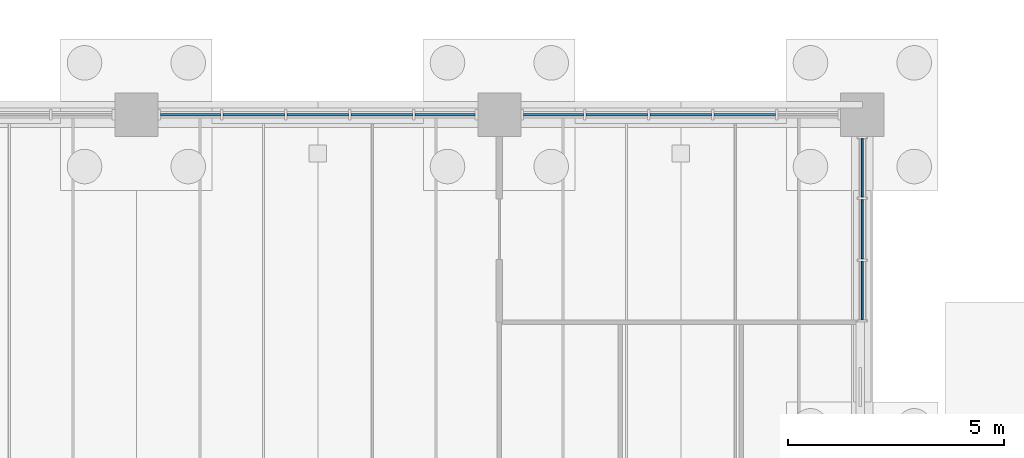
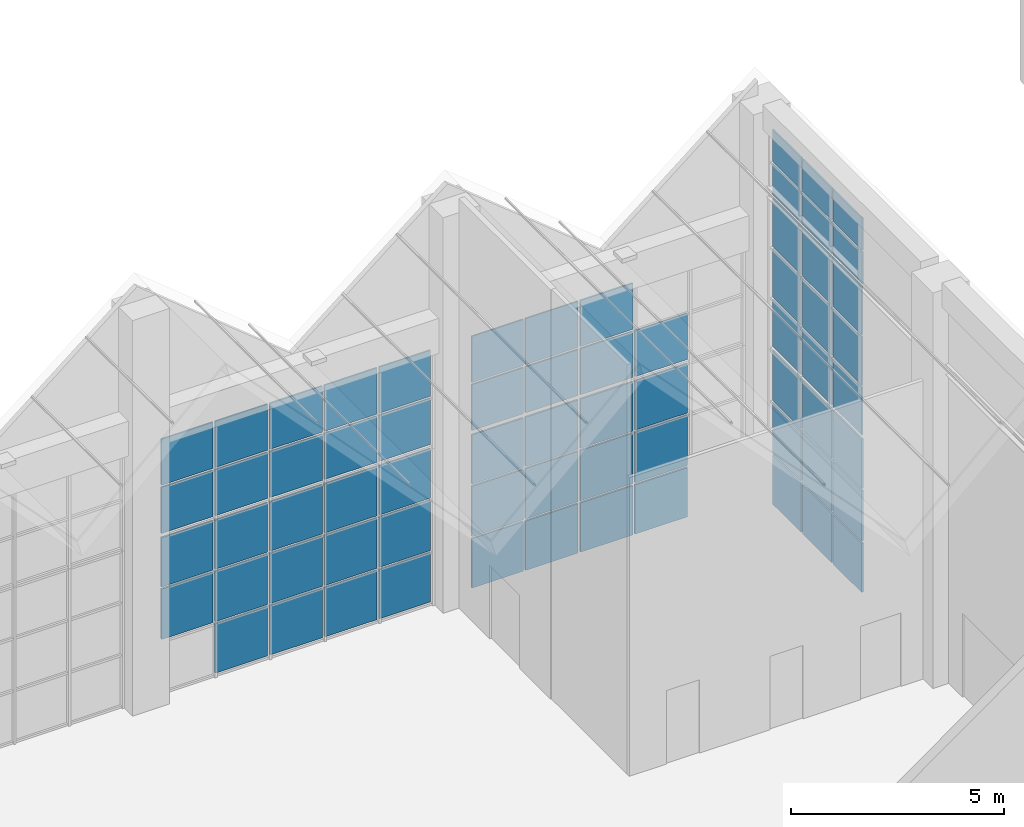
# One storey, part 87 of 138: 67 plates, 7 elements without a shape of their own.
"""IFC4 building model written with IfcOpenShell, lengths in metres."""

from ifc_helpers import new_model, si_unit, direction, frame, origin, origin_2d, place, context, subcontext, project, spatial, rectangle, extrude, material, layer, layer_set, type_object, element, aggregate, save


model = new_model("IFC4")

# Units and contexts
model_context = context("Model", 3, precision=1e-05, world=origin(), true_north=direction((0.0, 1.0)))
body_context = subcontext(model_context, "Body", "Model", "MODEL_VIEW")
ifc_project = project(units=[si_unit("LENGTHUNIT", "METRE"), si_unit("AREAUNIT", "SQUARE_METRE"), si_unit("VOLUMEUNIT", "CUBIC_METRE"), si_unit("PLANEANGLEUNIT", "RADIAN"), si_unit("MASSUNIT", "GRAM", prefix="KILO")], contexts=[model_context])

# Site, building, storey
site_placement = place(None, origin())
site = spatial("IfcSite", under=ifc_project, at=site_placement, CompositionType="ELEMENT")
building_placement = place(site_placement, origin())
building = spatial("IfcBuilding", under=site, at=building_placement, Name="Yavir Park General Hospital", CompositionType="ELEMENT")
storey_placement = place(building_placement, origin())
storey = spatial("IfcBuildingStorey", under=building, at=storey_placement, Name="L00", CompositionType="ELEMENT", Elevation=0.0)

# Curtain wall, plates
ifc_material_1 = material(Name="Aluminium curtain wall frame with insulated glazing", Category="aluminium")
curtain_wall_type_1 = type_object("IfcCurtainWallType", Name="Main hall glazing, clerestory band, 1970 high, 1400 module", PredefinedType="NOTDEFINED", material=ifc_material_1)
curtain_wall_1_placement = place(storey_placement, origin())
curtain_wall_1 = element("IfcCurtainWall", 1, at=curtain_wall_1_placement, inside=storey, type_object=curtain_wall_type_1, Name="CW35 L00-066", PredefinedType="NOTDEFINED")
ifc_material_2 = material(Name="Insulated glazed unit 30 mm, low-e coating")
ifc_layer_1 = layer(ifc_material_2, 0.0400390625)
ifc_layer_set_1 = layer_set([ifc_layer_1], Name="Insulated glazed unit 30 mm, low-e coating")
plate_type_1 = type_object("IfcPlateType", Name="Main hall glazing, clerestory band, 1970 high panel 40", PredefinedType="CURTAIN_PANEL", material=ifc_layer_set_1)
plate_1_placement = place(storey_placement, frame((109.199951171875, 63.129150390625, 8.89501953125), z_axis=(0.0, 0.0, 1.0), x_axis=(0.0, 1.0, 0.0)))
plate_1 = element("IfcPlate", 2, at=plate_1_placement, type_object=plate_type_1, Name="CW35 panel 1.1", PredefinedType="CURTAIN_PANEL", context=body_context, shape_type="SweptSolid", body=[
    extrude(rectangle(XDim=1.3583984375, YDim=0.0400390625, at=origin_2d()), origin(), (0.0, 0.0, 1.0), 0.909912109375),
])
plate_2_placement = place(storey_placement, frame((109.199951171875, 63.129150390625, 9.85498046875), z_axis=(0.0, 0.0, 1.0), x_axis=(0.0, 1.0, 0.0)))
plate_2 = element("IfcPlate", 3, at=plate_2_placement, type_object=plate_type_1, Name="CW35 panel 1.2", PredefinedType="CURTAIN_PANEL", context=body_context, shape_type="SweptSolid", body=[
    extrude(rectangle(XDim=1.3583984375, YDim=0.0400390625, at=origin_2d()), origin(), (0.0, 0.0, 1.0), 0.909912109375),
])
plate_3_placement = place(storey_placement, frame((109.199951171875, 64.550048828125, 8.89501953125), z_axis=(0.0, 0.0, 1.0), x_axis=(0.0, 1.0, 0.0)))
plate_3 = element("IfcPlate", 4, at=plate_3_placement, type_object=plate_type_1, Name="CW35 panel 2.1", PredefinedType="CURTAIN_PANEL", context=body_context, shape_type="SweptSolid", body=[
    extrude(rectangle(XDim=1.38330078125, YDim=0.0400390625, at=origin_2d()), origin(), (0.0, 0.0, 1.0), 0.909912109375),
])
plate_4_placement = place(storey_placement, frame((109.199951171875, 64.550048828125, 9.85498046875), z_axis=(0.0, 0.0, 1.0), x_axis=(0.0, 1.0, 0.0)))
plate_4 = element("IfcPlate", 5, at=plate_4_placement, type_object=plate_type_1, Name="CW35 panel 2.2", PredefinedType="CURTAIN_PANEL", context=body_context, shape_type="SweptSolid", body=[
    extrude(rectangle(XDim=1.38330078125, YDim=0.0400390625, at=origin_2d()), origin(), (0.0, 0.0, 1.0), 0.909912109375),
])
plate_5_placement = place(storey_placement, frame((109.199951171875, 65.970947265625, 8.89501953125), z_axis=(0.0, 0.0, 1.0), x_axis=(0.0, 1.0, 0.0)))
plate_5 = element("IfcPlate", 6, at=plate_5_placement, type_object=plate_type_1, Name="CW35 panel 3.1", PredefinedType="CURTAIN_PANEL", context=body_context, shape_type="SweptSolid", body=[
    extrude(rectangle(XDim=1.3583984375, YDim=0.0400390625, at=origin_2d()), origin(), (0.0, 0.0, 1.0), 0.909912109375),
])
plate_6_placement = place(storey_placement, frame((109.199951171875, 65.970947265625, 9.85498046875), z_axis=(0.0, 0.0, 1.0), x_axis=(0.0, 1.0, 0.0)))
plate_6 = element("IfcPlate", 7, at=plate_6_placement, type_object=plate_type_1, Name="CW35 panel 3.2", PredefinedType="CURTAIN_PANEL", context=body_context, shape_type="SweptSolid", body=[
    extrude(rectangle(XDim=1.3583984375, YDim=0.0400390625, at=origin_2d()), origin(), (0.0, 0.0, 1.0), 0.909912109375),
])
aggregate(curtain_wall_1, [plate_1, plate_2, plate_3, plate_4, plate_5, plate_6])

ifc_material_3 = material(Name="Aluminium curtain wall frame with insulated glazing", Category="aluminium")
curtain_wall_type_2 = type_object("IfcCurtainWallType", Name="Main hall glazing, lower band, 4500 high, 1400 module", PredefinedType="NOTDEFINED", material=ifc_material_3)
curtain_wall_2_placement = place(storey_placement, origin())
curtain_wall_2 = element("IfcCurtainWall", 8, at=curtain_wall_2_placement, inside=storey, type_object=curtain_wall_type_2, Name="CW33 L00-029", PredefinedType="NOTDEFINED")
ifc_material_4 = material(Name="Solar-control insulated glazed unit 40 mm")
ifc_layer_2 = layer(ifc_material_4, 0.050048828125)
ifc_layer_set_2 = layer_set([ifc_layer_2], Name="Solar-control insulated glazed unit 40 mm")
plate_type_2 = type_object("IfcPlateType", Name="Main hall glazing, lower band, 4500 high panel 50", PredefinedType="CURTAIN_PANEL", material=ifc_layer_set_2)
plate_7_placement = place(storey_placement, frame((93.655029296875, 67.199951171875, 1.530029296875), z_axis=(0.0, 0.0, 1.0), x_axis=(1.0, 0.0, 0.0)))
plate_7 = element("IfcPlate", 9, at=plate_7_placement, type_object=plate_type_2, Name="CW33 panel 1.2", PredefinedType="CURTAIN_PANEL", context=body_context, shape_type="SweptSolid", body=[
    extrude(rectangle(XDim=1.389892578125, YDim=0.050048828125, at=origin_2d()), origin(), (0.0, 0.0, 1.0), 1.43994140625),
])
plate_8_placement = place(storey_placement, frame((93.655029296875, 67.199951171875, 3.0302734375), z_axis=(0.0, 0.0, 1.0), x_axis=(1.0, 0.0, 0.0)))
plate_8 = element("IfcPlate", 10, at=plate_8_placement, type_object=plate_type_2, Name="CW33 panel 1.3", PredefinedType="CURTAIN_PANEL", context=body_context, shape_type="SweptSolid", body=[
    extrude(rectangle(XDim=1.389892578125, YDim=0.050048828125, at=origin_2d()), origin(), (0.0, 0.0, 1.0), 1.409912109375),
])
plate_9_placement = place(storey_placement, frame((95.1201171875, 67.199951171875, 0.06005859375), z_axis=(0.0, 0.0, 1.0), x_axis=(1.0, 0.0, 0.0)))
plate_9 = element("IfcPlate", 11, at=plate_9_placement, type_object=plate_type_2, Name="CW33 panel 2.1", PredefinedType="CURTAIN_PANEL", context=body_context, shape_type="SweptSolid", body=[
    extrude(rectangle(XDim=1.419921875, YDim=0.050048828125, at=origin_2d()), origin(), (0.0, 0.0, 1.0), 1.409912109375),
])
plate_10_placement = place(storey_placement, frame((95.1201171875, 67.199951171875, 1.530029296875), z_axis=(0.0, 0.0, 1.0), x_axis=(1.0, 0.0, 0.0)))
plate_10 = element("IfcPlate", 12, at=plate_10_placement, type_object=plate_type_2, Name="CW33 panel 2.2", PredefinedType="CURTAIN_PANEL", context=body_context, shape_type="SweptSolid", body=[
    extrude(rectangle(XDim=1.419921875, YDim=0.050048828125, at=origin_2d()), origin(), (0.0, 0.0, 1.0), 1.43994140625),
])
plate_11_placement = place(storey_placement, frame((95.1201171875, 67.199951171875, 3.0302734375), z_axis=(0.0, 0.0, 1.0), x_axis=(1.0, 0.0, 0.0)))
plate_11 = element("IfcPlate", 13, at=plate_11_placement, type_object=plate_type_2, Name="CW33 panel 2.3", PredefinedType="CURTAIN_PANEL", context=body_context, shape_type="SweptSolid", body=[
    extrude(rectangle(XDim=1.419921875, YDim=0.050048828125, at=origin_2d()), origin(), (0.0, 0.0, 1.0), 1.409912109375),
])
plate_12_placement = place(storey_placement, frame((96.60009765625, 67.199951171875, 0.06005859375), z_axis=(0.0, 0.0, 1.0), x_axis=(1.0, 0.0, 0.0)))
plate_12 = element("IfcPlate", 14, at=plate_12_placement, type_object=plate_type_2, Name="CW33 panel 3.1", PredefinedType="CURTAIN_PANEL", context=body_context, shape_type="SweptSolid", body=[
    extrude(rectangle(XDim=1.419921875, YDim=0.050048828125, at=origin_2d()), origin(), (0.0, 0.0, 1.0), 1.409912109375),
])
plate_13_placement = place(storey_placement, frame((96.60009765625, 67.199951171875, 1.530029296875), z_axis=(0.0, 0.0, 1.0), x_axis=(1.0, 0.0, 0.0)))
plate_13 = element("IfcPlate", 15, at=plate_13_placement, type_object=plate_type_2, Name="CW33 panel 3.2", PredefinedType="CURTAIN_PANEL", context=body_context, shape_type="SweptSolid", body=[
    extrude(rectangle(XDim=1.419921875, YDim=0.050048828125, at=origin_2d()), origin(), (0.0, 0.0, 1.0), 1.43994140625),
])
plate_14_placement = place(storey_placement, frame((96.60009765625, 67.199951171875, 3.0302734375), z_axis=(0.0, 0.0, 1.0), x_axis=(1.0, 0.0, 0.0)))
plate_14 = element("IfcPlate", 16, at=plate_14_placement, type_object=plate_type_2, Name="CW33 panel 3.3", PredefinedType="CURTAIN_PANEL", context=body_context, shape_type="SweptSolid", body=[
    extrude(rectangle(XDim=1.419921875, YDim=0.050048828125, at=origin_2d()), origin(), (0.0, 0.0, 1.0), 1.409912109375),
])
plate_15_placement = place(storey_placement, frame((98.080078125, 67.199951171875, 0.06005859375), z_axis=(0.0, 0.0, 1.0), x_axis=(1.0, 0.0, 0.0)))
plate_15 = element("IfcPlate", 17, at=plate_15_placement, type_object=plate_type_2, Name="CW33 panel 4.1", PredefinedType="CURTAIN_PANEL", context=body_context, shape_type="SweptSolid", body=[
    extrude(rectangle(XDim=1.419921875, YDim=0.050048828125, at=origin_2d()), origin(), (0.0, 0.0, 1.0), 1.409912109375),
])
plate_16_placement = place(storey_placement, frame((98.080078125, 67.199951171875, 1.530029296875), z_axis=(0.0, 0.0, 1.0), x_axis=(1.0, 0.0, 0.0)))
plate_16 = element("IfcPlate", 18, at=plate_16_placement, type_object=plate_type_2, Name="CW33 panel 4.2", PredefinedType="CURTAIN_PANEL", context=body_context, shape_type="SweptSolid", body=[
    extrude(rectangle(XDim=1.419921875, YDim=0.050048828125, at=origin_2d()), origin(), (0.0, 0.0, 1.0), 1.43994140625),
])
plate_17_placement = place(storey_placement, frame((98.080078125, 67.199951171875, 3.0302734375), z_axis=(0.0, 0.0, 1.0), x_axis=(1.0, 0.0, 0.0)))
plate_17 = element("IfcPlate", 19, at=plate_17_placement, type_object=plate_type_2, Name="CW33 panel 4.3", PredefinedType="CURTAIN_PANEL", context=body_context, shape_type="SweptSolid", body=[
    extrude(rectangle(XDim=1.419921875, YDim=0.050048828125, at=origin_2d()), origin(), (0.0, 0.0, 1.0), 1.409912109375),
])
plate_18_placement = place(storey_placement, frame((99.544921875, 67.199951171875, 0.06005859375), z_axis=(0.0, 0.0, 1.0), x_axis=(1.0, 0.0, 0.0)))
plate_18 = element("IfcPlate", 20, at=plate_18_placement, type_object=plate_type_2, Name="CW33 panel 5.1", PredefinedType="CURTAIN_PANEL", context=body_context, shape_type="SweptSolid", body=[
    extrude(rectangle(XDim=1.389892578125, YDim=0.050048828125, at=origin_2d()), origin(), (0.0, 0.0, 1.0), 1.409912109375),
])
plate_19_placement = place(storey_placement, frame((99.544921875, 67.199951171875, 1.530029296875), z_axis=(0.0, 0.0, 1.0), x_axis=(1.0, 0.0, 0.0)))
plate_19 = element("IfcPlate", 21, at=plate_19_placement, type_object=plate_type_2, Name="CW33 panel 5.2", PredefinedType="CURTAIN_PANEL", context=body_context, shape_type="SweptSolid", body=[
    extrude(rectangle(XDim=1.389892578125, YDim=0.050048828125, at=origin_2d()), origin(), (0.0, 0.0, 1.0), 1.43994140625),
])
plate_20_placement = place(storey_placement, frame((99.544921875, 67.199951171875, 3.0302734375), z_axis=(0.0, 0.0, 1.0), x_axis=(1.0, 0.0, 0.0)))
plate_20 = element("IfcPlate", 22, at=plate_20_placement, type_object=plate_type_2, Name="CW33 panel 5.3", PredefinedType="CURTAIN_PANEL", context=body_context, shape_type="SweptSolid", body=[
    extrude(rectangle(XDim=1.389892578125, YDim=0.050048828125, at=origin_2d()), origin(), (0.0, 0.0, 1.0), 1.409912109375),
])
aggregate(curtain_wall_2, [plate_7, plate_8, plate_9, plate_10, plate_11, plate_12, plate_13, plate_14, plate_15, plate_16, plate_17, plate_18, plate_19, plate_20])

curtain_wall_3_placement = place(storey_placement, origin())
curtain_wall_3 = element("IfcCurtainWall", 23, at=curtain_wall_3_placement, inside=storey, type_object=curtain_wall_type_2, Name="CW33 L00-031", PredefinedType="NOTDEFINED")
plate_21_placement = place(storey_placement, frame((102.054931640625, 67.199951171875, 0.06005859375), z_axis=(0.0, 0.0, 1.0), x_axis=(1.0, 0.0, 0.0)))
plate_21 = element("IfcPlate", 24, at=plate_21_placement, type_object=plate_type_2, Name="CW33 panel 1.1", PredefinedType="CURTAIN_PANEL", context=body_context, shape_type="SweptSolid", body=[
    extrude(rectangle(XDim=1.389892578125, YDim=0.050048828125, at=origin_2d()), origin(), (0.0, 0.0, 1.0), 1.409912109375),
])
plate_22_placement = place(storey_placement, frame((102.054931640625, 67.199951171875, 1.530029296875), z_axis=(0.0, 0.0, 1.0), x_axis=(1.0, 0.0, 0.0)))
plate_22 = element("IfcPlate", 25, at=plate_22_placement, type_object=plate_type_2, Name="CW33 panel 1.2", PredefinedType="CURTAIN_PANEL", context=body_context, shape_type="SweptSolid", body=[
    extrude(rectangle(XDim=1.389892578125, YDim=0.050048828125, at=origin_2d()), origin(), (0.0, 0.0, 1.0), 1.43994140625),
])
plate_23_placement = place(storey_placement, frame((102.054931640625, 67.199951171875, 3.0302734375), z_axis=(0.0, 0.0, 1.0), x_axis=(1.0, 0.0, 0.0)))
plate_23 = element("IfcPlate", 26, at=plate_23_placement, type_object=plate_type_2, Name="CW33 panel 1.3", PredefinedType="CURTAIN_PANEL", context=body_context, shape_type="SweptSolid", body=[
    extrude(rectangle(XDim=1.389892578125, YDim=0.050048828125, at=origin_2d()), origin(), (0.0, 0.0, 1.0), 1.409912109375),
])
plate_24_placement = place(storey_placement, frame((103.52001953125, 67.199951171875, 0.06005859375), z_axis=(0.0, 0.0, 1.0), x_axis=(1.0, 0.0, 0.0)))
plate_24 = element("IfcPlate", 27, at=plate_24_placement, type_object=plate_type_2, Name="CW33 panel 2.1", PredefinedType="CURTAIN_PANEL", context=body_context, shape_type="SweptSolid", body=[
    extrude(rectangle(XDim=1.419921875, YDim=0.050048828125, at=origin_2d()), origin(), (0.0, 0.0, 1.0), 1.409912109375),
])
plate_25_placement = place(storey_placement, frame((103.52001953125, 67.199951171875, 1.530029296875), z_axis=(0.0, 0.0, 1.0), x_axis=(1.0, 0.0, 0.0)))
plate_25 = element("IfcPlate", 28, at=plate_25_placement, type_object=plate_type_2, Name="CW33 panel 2.2", PredefinedType="CURTAIN_PANEL", context=body_context, shape_type="SweptSolid", body=[
    extrude(rectangle(XDim=1.419921875, YDim=0.050048828125, at=origin_2d()), origin(), (0.0, 0.0, 1.0), 1.43994140625),
])
plate_26_placement = place(storey_placement, frame((103.52001953125, 67.199951171875, 3.0302734375), z_axis=(0.0, 0.0, 1.0), x_axis=(1.0, 0.0, 0.0)))
plate_26 = element("IfcPlate", 29, at=plate_26_placement, type_object=plate_type_2, Name="CW33 panel 2.3", PredefinedType="CURTAIN_PANEL", context=body_context, shape_type="SweptSolid", body=[
    extrude(rectangle(XDim=1.419921875, YDim=0.050048828125, at=origin_2d()), origin(), (0.0, 0.0, 1.0), 1.409912109375),
])
plate_27_placement = place(storey_placement, frame((105.0, 67.199951171875, 0.06005859375), z_axis=(0.0, 0.0, 1.0), x_axis=(1.0, 0.0, 0.0)))
plate_27 = element("IfcPlate", 30, at=plate_27_placement, type_object=plate_type_2, Name="CW33 panel 3.1", PredefinedType="CURTAIN_PANEL", context=body_context, shape_type="SweptSolid", body=[
    extrude(rectangle(XDim=1.419921875, YDim=0.050048828125, at=origin_2d()), origin(), (0.0, 0.0, 1.0), 1.409912109375),
])
plate_28_placement = place(storey_placement, frame((105.0, 67.199951171875, 1.530029296875), z_axis=(0.0, 0.0, 1.0), x_axis=(1.0, 0.0, 0.0)))
plate_28 = element("IfcPlate", 31, at=plate_28_placement, type_object=plate_type_2, Name="CW33 panel 3.2", PredefinedType="CURTAIN_PANEL", context=body_context, shape_type="SweptSolid", body=[
    extrude(rectangle(XDim=1.419921875, YDim=0.050048828125, at=origin_2d()), origin(), (0.0, 0.0, 1.0), 1.43994140625),
])
plate_29_placement = place(storey_placement, frame((105.0, 67.199951171875, 3.0302734375), z_axis=(0.0, 0.0, 1.0), x_axis=(1.0, 0.0, 0.0)))
plate_29 = element("IfcPlate", 32, at=plate_29_placement, type_object=plate_type_2, Name="CW33 panel 3.3", PredefinedType="CURTAIN_PANEL", context=body_context, shape_type="SweptSolid", body=[
    extrude(rectangle(XDim=1.419921875, YDim=0.050048828125, at=origin_2d()), origin(), (0.0, 0.0, 1.0), 1.409912109375),
])
plate_30_placement = place(storey_placement, frame((106.47998046875, 67.199951171875, 0.06005859375), z_axis=(0.0, 0.0, 1.0), x_axis=(1.0, 0.0, 0.0)))
plate_30 = element("IfcPlate", 33, at=plate_30_placement, type_object=plate_type_2, Name="CW33 panel 4.1", PredefinedType="CURTAIN_PANEL", context=body_context, shape_type="SweptSolid", body=[
    extrude(rectangle(XDim=1.419921875, YDim=0.050048828125, at=origin_2d()), origin(), (0.0, 0.0, 1.0), 1.409912109375),
])
plate_31_placement = place(storey_placement, frame((106.47998046875, 67.199951171875, 1.530029296875), z_axis=(0.0, 0.0, 1.0), x_axis=(1.0, 0.0, 0.0)))
plate_31 = element("IfcPlate", 34, at=plate_31_placement, type_object=plate_type_2, Name="CW33 panel 4.2", PredefinedType="CURTAIN_PANEL", context=body_context, shape_type="SweptSolid", body=[
    extrude(rectangle(XDim=1.419921875, YDim=0.050048828125, at=origin_2d()), origin(), (0.0, 0.0, 1.0), 1.43994140625),
])
plate_32_placement = place(storey_placement, frame((106.47998046875, 67.199951171875, 3.0302734375), z_axis=(0.0, 0.0, 1.0), x_axis=(1.0, 0.0, 0.0)))
plate_32 = element("IfcPlate", 35, at=plate_32_placement, type_object=plate_type_2, Name="CW33 panel 4.3", PredefinedType="CURTAIN_PANEL", context=body_context, shape_type="SweptSolid", body=[
    extrude(rectangle(XDim=1.419921875, YDim=0.050048828125, at=origin_2d()), origin(), (0.0, 0.0, 1.0), 1.409912109375),
])
aggregate(curtain_wall_3, [plate_21, plate_22, plate_23, plate_24, plate_25, plate_26, plate_27, plate_28, plate_29, plate_30, plate_31, plate_32])

curtain_wall_4_placement = place(storey_placement, origin())
curtain_wall_4 = element("IfcCurtainWall", 36, at=curtain_wall_4_placement, inside=storey, type_object=curtain_wall_type_2, Name="CW33 L00-064", PredefinedType="NOTDEFINED")
plate_33_placement = place(storey_placement, frame((109.199951171875, 63.131591796875, 0.06005859375), z_axis=(0.0, 0.0, 1.0), x_axis=(0.0, 1.0, 0.0)))
plate_33 = element("IfcPlate", 37, at=plate_33_placement, type_object=plate_type_2, Name="CW33 panel 1.1", PredefinedType="CURTAIN_PANEL", context=body_context, shape_type="SweptSolid", body=[
    extrude(rectangle(XDim=1.34326171875, YDim=0.050048828125, at=origin_2d()), origin(), (0.0, 0.0, 1.0), 1.409912109375),
])
plate_34_placement = place(storey_placement, frame((109.199951171875, 63.131591796875, 1.530029296875), z_axis=(0.0, 0.0, 1.0), x_axis=(0.0, 1.0, 0.0)))
plate_34 = element("IfcPlate", 38, at=plate_34_placement, type_object=plate_type_2, Name="CW33 panel 1.2", PredefinedType="CURTAIN_PANEL", context=body_context, shape_type="SweptSolid", body=[
    extrude(rectangle(XDim=1.34326171875, YDim=0.050048828125, at=origin_2d()), origin(), (0.0, 0.0, 1.0), 1.43994140625),
])
plate_35_placement = place(storey_placement, frame((109.199951171875, 63.131591796875, 3.0302734375), z_axis=(0.0, 0.0, 1.0), x_axis=(0.0, 1.0, 0.0)))
plate_35 = element("IfcPlate", 39, at=plate_35_placement, type_object=plate_type_2, Name="CW33 panel 1.3", PredefinedType="CURTAIN_PANEL", context=body_context, shape_type="SweptSolid", body=[
    extrude(rectangle(XDim=1.34326171875, YDim=0.050048828125, at=origin_2d()), origin(), (0.0, 0.0, 1.0), 1.409912109375),
])
plate_36_placement = place(storey_placement, frame((109.199951171875, 64.550048828125, 0.06005859375), z_axis=(0.0, 0.0, 1.0), x_axis=(0.0, 1.0, 0.0)))
plate_36 = element("IfcPlate", 40, at=plate_36_placement, type_object=plate_type_2, Name="CW33 panel 2.1", PredefinedType="CURTAIN_PANEL", context=body_context, shape_type="SweptSolid", body=[
    extrude(rectangle(XDim=1.373291015625, YDim=0.050048828125, at=origin_2d()), origin(), (0.0, 0.0, 1.0), 1.409912109375),
])
plate_37_placement = place(storey_placement, frame((109.199951171875, 64.550048828125, 1.530029296875), z_axis=(0.0, 0.0, 1.0), x_axis=(0.0, 1.0, 0.0)))
plate_37 = element("IfcPlate", 41, at=plate_37_placement, type_object=plate_type_2, Name="CW33 panel 2.2", PredefinedType="CURTAIN_PANEL", context=body_context, shape_type="SweptSolid", body=[
    extrude(rectangle(XDim=1.373291015625, YDim=0.050048828125, at=origin_2d()), origin(), (0.0, 0.0, 1.0), 1.43994140625),
])
plate_38_placement = place(storey_placement, frame((109.199951171875, 64.550048828125, 3.0302734375), z_axis=(0.0, 0.0, 1.0), x_axis=(0.0, 1.0, 0.0)))
plate_38 = element("IfcPlate", 42, at=plate_38_placement, type_object=plate_type_2, Name="CW33 panel 2.3", PredefinedType="CURTAIN_PANEL", context=body_context, shape_type="SweptSolid", body=[
    extrude(rectangle(XDim=1.373291015625, YDim=0.050048828125, at=origin_2d()), origin(), (0.0, 0.0, 1.0), 1.409912109375),
])
plate_39_placement = place(storey_placement, frame((109.199951171875, 65.96826171875, 0.06005859375), z_axis=(0.0, 0.0, 1.0), x_axis=(0.0, 1.0, 0.0)))
plate_39 = element("IfcPlate", 43, at=plate_39_placement, type_object=plate_type_2, Name="CW33 panel 3.1", PredefinedType="CURTAIN_PANEL", context=body_context, shape_type="SweptSolid", body=[
    extrude(rectangle(XDim=1.34326171875, YDim=0.050048828125, at=origin_2d()), origin(), (0.0, 0.0, 1.0), 1.409912109375),
])
plate_40_placement = place(storey_placement, frame((109.199951171875, 65.96826171875, 1.530029296875), z_axis=(0.0, 0.0, 1.0), x_axis=(0.0, 1.0, 0.0)))
plate_40 = element("IfcPlate", 44, at=plate_40_placement, type_object=plate_type_2, Name="CW33 panel 3.2", PredefinedType="CURTAIN_PANEL", context=body_context, shape_type="SweptSolid", body=[
    extrude(rectangle(XDim=1.34326171875, YDim=0.050048828125, at=origin_2d()), origin(), (0.0, 0.0, 1.0), 1.43994140625),
])
plate_41_placement = place(storey_placement, frame((109.199951171875, 65.96826171875, 3.0302734375), z_axis=(0.0, 0.0, 1.0), x_axis=(0.0, 1.0, 0.0)))
plate_41 = element("IfcPlate", 45, at=plate_41_placement, type_object=plate_type_2, Name="CW33 panel 3.3", PredefinedType="CURTAIN_PANEL", context=body_context, shape_type="SweptSolid", body=[
    extrude(rectangle(XDim=1.34326171875, YDim=0.050048828125, at=origin_2d()), origin(), (0.0, 0.0, 1.0), 1.409912109375),
])
aggregate(curtain_wall_4, [plate_33, plate_34, plate_35, plate_36, plate_37, plate_38, plate_39, plate_40, plate_41])

ifc_material_5 = material(Name="Aluminium curtain wall frame with insulated glazing", Category="aluminium")
curtain_wall_type_3 = type_object("IfcCurtainWallType", Name="Main hall glazing, upper band, 2817 high, 1400 module", PredefinedType="NOTDEFINED", material=ifc_material_5)
curtain_wall_5_placement = place(storey_placement, origin())
curtain_wall_5 = element("IfcCurtainWall", 46, at=curtain_wall_5_placement, inside=storey, type_object=curtain_wall_type_3, Name="CW34 L00-030", PredefinedType="NOTDEFINED")
ifc_material_6 = material(Name="Solar-control insulated glazed unit 40 mm")
ifc_layer_3 = layer(ifc_material_6, 0.0400390625)
ifc_layer_set_3 = layer_set([ifc_layer_3], Name="Solar-control insulated glazed unit 40 mm")
plate_type_3 = type_object("IfcPlateType", Name="Main hall glazing, upper band, 2817 high panel 40", PredefinedType="CURTAIN_PANEL", material=ifc_layer_set_3)
plate_42_placement = place(storey_placement, frame((93.655029296875, 67.199951171875, 4.56005859375), z_axis=(0.0, 0.0, 1.0), x_axis=(1.0, 0.0, 0.0)))
plate_42 = element("IfcPlate", 47, at=plate_42_placement, type_object=plate_type_3, Name="CW34 panel 1.1", PredefinedType="CURTAIN_PANEL", context=body_context, shape_type="SweptSolid", body=[
    extrude(rectangle(XDim=1.389892578125, YDim=0.0400390625, at=origin_2d()), origin(), (0.0, 0.0, 1.0), 1.318603515625),
])
plate_43_placement = place(storey_placement, frame((93.655029296875, 67.199951171875, 5.9384765625), z_axis=(0.0, 0.0, 1.0), x_axis=(1.0, 0.0, 0.0)))
plate_43 = element("IfcPlate", 48, at=plate_43_placement, type_object=plate_type_3, Name="CW34 panel 1.2", PredefinedType="CURTAIN_PANEL", context=body_context, shape_type="SweptSolid", body=[
    extrude(rectangle(XDim=1.389892578125, YDim=0.0400390625, at=origin_2d()), origin(), (0.0, 0.0, 1.0), 1.318603515625),
])
plate_44_placement = place(storey_placement, frame((95.1201171875, 67.199951171875, 4.56005859375), z_axis=(0.0, 0.0, 1.0), x_axis=(1.0, 0.0, 0.0)))
plate_44 = element("IfcPlate", 49, at=plate_44_placement, type_object=plate_type_3, Name="CW34 panel 2.1", PredefinedType="CURTAIN_PANEL", context=body_context, shape_type="SweptSolid", body=[
    extrude(rectangle(XDim=1.419921875, YDim=0.0400390625, at=origin_2d()), origin(), (0.0, 0.0, 1.0), 1.318603515625),
])
plate_45_placement = place(storey_placement, frame((95.1201171875, 67.199951171875, 5.9384765625), z_axis=(0.0, 0.0, 1.0), x_axis=(1.0, 0.0, 0.0)))
plate_45 = element("IfcPlate", 50, at=plate_45_placement, type_object=plate_type_3, Name="CW34 panel 2.2", PredefinedType="CURTAIN_PANEL", context=body_context, shape_type="SweptSolid", body=[
    extrude(rectangle(XDim=1.419921875, YDim=0.0400390625, at=origin_2d()), origin(), (0.0, 0.0, 1.0), 1.318603515625),
])
plate_46_placement = place(storey_placement, frame((96.60009765625, 67.199951171875, 4.56005859375), z_axis=(0.0, 0.0, 1.0), x_axis=(1.0, 0.0, 0.0)))
plate_46 = element("IfcPlate", 51, at=plate_46_placement, type_object=plate_type_3, Name="CW34 panel 3.1", PredefinedType="CURTAIN_PANEL", context=body_context, shape_type="SweptSolid", body=[
    extrude(rectangle(XDim=1.419921875, YDim=0.0400390625, at=origin_2d()), origin(), (0.0, 0.0, 1.0), 1.318603515625),
])
plate_47_placement = place(storey_placement, frame((96.60009765625, 67.199951171875, 5.9384765625), z_axis=(0.0, 0.0, 1.0), x_axis=(1.0, 0.0, 0.0)))
plate_47 = element("IfcPlate", 52, at=plate_47_placement, type_object=plate_type_3, Name="CW34 panel 3.2", PredefinedType="CURTAIN_PANEL", context=body_context, shape_type="SweptSolid", body=[
    extrude(rectangle(XDim=1.419921875, YDim=0.0400390625, at=origin_2d()), origin(), (0.0, 0.0, 1.0), 1.318603515625),
])
plate_48_placement = place(storey_placement, frame((98.080078125, 67.199951171875, 4.56005859375), z_axis=(0.0, 0.0, 1.0), x_axis=(1.0, 0.0, 0.0)))
plate_48 = element("IfcPlate", 53, at=plate_48_placement, type_object=plate_type_3, Name="CW34 panel 4.1", PredefinedType="CURTAIN_PANEL", context=body_context, shape_type="SweptSolid", body=[
    extrude(rectangle(XDim=1.419921875, YDim=0.0400390625, at=origin_2d()), origin(), (0.0, 0.0, 1.0), 1.318603515625),
])
plate_49_placement = place(storey_placement, frame((98.080078125, 67.199951171875, 5.9384765625), z_axis=(0.0, 0.0, 1.0), x_axis=(1.0, 0.0, 0.0)))
plate_49 = element("IfcPlate", 54, at=plate_49_placement, type_object=plate_type_3, Name="CW34 panel 4.2", PredefinedType="CURTAIN_PANEL", context=body_context, shape_type="SweptSolid", body=[
    extrude(rectangle(XDim=1.419921875, YDim=0.0400390625, at=origin_2d()), origin(), (0.0, 0.0, 1.0), 1.318603515625),
])
plate_50_placement = place(storey_placement, frame((99.544921875, 67.199951171875, 4.56005859375), z_axis=(0.0, 0.0, 1.0), x_axis=(1.0, 0.0, 0.0)))
plate_50 = element("IfcPlate", 55, at=plate_50_placement, type_object=plate_type_3, Name="CW34 panel 5.1", PredefinedType="CURTAIN_PANEL", context=body_context, shape_type="SweptSolid", body=[
    extrude(rectangle(XDim=1.389892578125, YDim=0.0400390625, at=origin_2d()), origin(), (0.0, 0.0, 1.0), 1.318603515625),
])
plate_51_placement = place(storey_placement, frame((99.544921875, 67.199951171875, 5.9384765625), z_axis=(0.0, 0.0, 1.0), x_axis=(1.0, 0.0, 0.0)))
plate_51 = element("IfcPlate", 56, at=plate_51_placement, type_object=plate_type_3, Name="CW34 panel 5.2", PredefinedType="CURTAIN_PANEL", context=body_context, shape_type="SweptSolid", body=[
    extrude(rectangle(XDim=1.389892578125, YDim=0.0400390625, at=origin_2d()), origin(), (0.0, 0.0, 1.0), 1.318603515625),
])
aggregate(curtain_wall_5, [plate_42, plate_43, plate_44, plate_45, plate_46, plate_47, plate_48, plate_49, plate_50, plate_51])

curtain_wall_6_placement = place(storey_placement, origin())
curtain_wall_6 = element("IfcCurtainWall", 57, at=curtain_wall_6_placement, inside=storey, type_object=curtain_wall_type_3, Name="CW34 L00-032", PredefinedType="NOTDEFINED")
plate_52_placement = place(storey_placement, frame((102.054931640625, 67.199951171875, 4.56005859375), z_axis=(0.0, 0.0, 1.0), x_axis=(1.0, 0.0, 0.0)))
plate_52 = element("IfcPlate", 58, at=plate_52_placement, type_object=plate_type_3, Name="CW34 panel 1.1", PredefinedType="CURTAIN_PANEL", context=body_context, shape_type="SweptSolid", body=[
    extrude(rectangle(XDim=1.389892578125, YDim=0.0400390625, at=origin_2d()), origin(), (0.0, 0.0, 1.0), 1.318603515625),
])
plate_53_placement = place(storey_placement, frame((102.054931640625, 67.199951171875, 5.9384765625), z_axis=(0.0, 0.0, 1.0), x_axis=(1.0, 0.0, 0.0)))
plate_53 = element("IfcPlate", 59, at=plate_53_placement, type_object=plate_type_3, Name="CW34 panel 1.2", PredefinedType="CURTAIN_PANEL", context=body_context, shape_type="SweptSolid", body=[
    extrude(rectangle(XDim=1.389892578125, YDim=0.0400390625, at=origin_2d()), origin(), (0.0, 0.0, 1.0), 1.318603515625),
])
plate_54_placement = place(storey_placement, frame((103.52001953125, 67.199951171875, 4.56005859375), z_axis=(0.0, 0.0, 1.0), x_axis=(1.0, 0.0, 0.0)))
plate_54 = element("IfcPlate", 60, at=plate_54_placement, type_object=plate_type_3, Name="CW34 panel 2.1", PredefinedType="CURTAIN_PANEL", context=body_context, shape_type="SweptSolid", body=[
    extrude(rectangle(XDim=1.419921875, YDim=0.0400390625, at=origin_2d()), origin(), (0.0, 0.0, 1.0), 1.318603515625),
])
plate_55_placement = place(storey_placement, frame((103.52001953125, 67.199951171875, 5.9384765625), z_axis=(0.0, 0.0, 1.0), x_axis=(1.0, 0.0, 0.0)))
plate_55 = element("IfcPlate", 61, at=plate_55_placement, type_object=plate_type_3, Name="CW34 panel 2.2", PredefinedType="CURTAIN_PANEL", context=body_context, shape_type="SweptSolid", body=[
    extrude(rectangle(XDim=1.419921875, YDim=0.0400390625, at=origin_2d()), origin(), (0.0, 0.0, 1.0), 1.318603515625),
])
plate_56_placement = place(storey_placement, frame((105.0, 67.199951171875, 4.56005859375), z_axis=(0.0, 0.0, 1.0), x_axis=(1.0, 0.0, 0.0)))
plate_56 = element("IfcPlate", 62, at=plate_56_placement, type_object=plate_type_3, Name="CW34 panel 3.1", PredefinedType="CURTAIN_PANEL", context=body_context, shape_type="SweptSolid", body=[
    extrude(rectangle(XDim=1.419921875, YDim=0.0400390625, at=origin_2d()), origin(), (0.0, 0.0, 1.0), 1.318603515625),
])
plate_57_placement = place(storey_placement, frame((105.0, 67.199951171875, 5.9384765625), z_axis=(0.0, 0.0, 1.0), x_axis=(1.0, 0.0, 0.0)))
plate_57 = element("IfcPlate", 63, at=plate_57_placement, type_object=plate_type_3, Name="CW34 panel 3.2", PredefinedType="CURTAIN_PANEL", context=body_context, shape_type="SweptSolid", body=[
    extrude(rectangle(XDim=1.419921875, YDim=0.0400390625, at=origin_2d()), origin(), (0.0, 0.0, 1.0), 1.318603515625),
])
plate_58_placement = place(storey_placement, frame((106.47998046875, 67.199951171875, 4.56005859375), z_axis=(0.0, 0.0, 1.0), x_axis=(1.0, 0.0, 0.0)))
plate_58 = element("IfcPlate", 64, at=plate_58_placement, type_object=plate_type_3, Name="CW34 panel 4.1", PredefinedType="CURTAIN_PANEL", context=body_context, shape_type="SweptSolid", body=[
    extrude(rectangle(XDim=1.419921875, YDim=0.0400390625, at=origin_2d()), origin(), (0.0, 0.0, 1.0), 1.318603515625),
])
aggregate(curtain_wall_6, [plate_52, plate_53, plate_54, plate_55, plate_56, plate_57, plate_58])

ifc_material_7 = material(Name="Aluminium curtain wall frame with insulated glazing", Category="aluminium")
curtain_wall_type_4 = type_object("IfcCurtainWallType", Name="Main hall glazing, upper band, 4345 high, 1400 module", PredefinedType="NOTDEFINED", material=ifc_material_7)
curtain_wall_7_placement = place(storey_placement, origin())
curtain_wall_7 = element("IfcCurtainWall", 65, at=curtain_wall_7_placement, inside=storey, type_object=curtain_wall_type_4, Name="CW52 L00-065", PredefinedType="NOTDEFINED")
ifc_material_8 = material(Name="Solar-control insulated glazed unit 40 mm")
ifc_layer_4 = layer(ifc_material_8, 0.0400390625)
ifc_layer_set_4 = layer_set([ifc_layer_4], Name="Solar-control insulated glazed unit 40 mm")
plate_type_4 = type_object("IfcPlateType", Name="Main hall glazing, upper band, 4345 high panel 40", PredefinedType="CURTAIN_PANEL", material=ifc_layer_set_4)
plate_59_placement = place(storey_placement, frame((109.199951171875, 63.131591796875, 4.56005859375), z_axis=(0.0, 0.0, 1.0), x_axis=(0.0, 1.0, 0.0)))
plate_59 = element("IfcPlate", 66, at=plate_59_placement, type_object=plate_type_4, Name="CW52 panel 1.1", PredefinedType="CURTAIN_PANEL", context=body_context, shape_type="SweptSolid", body=[
    extrude(rectangle(XDim=1.34326171875, YDim=0.0400390625, at=origin_2d()), origin(), (0.0, 0.0, 1.0), 1.3583984375),
])
plate_60_placement = place(storey_placement, frame((109.199951171875, 63.131591796875, 5.978515625), z_axis=(0.0, 0.0, 1.0), x_axis=(0.0, 1.0, 0.0)))
plate_60 = element("IfcPlate", 67, at=plate_60_placement, type_object=plate_type_4, Name="CW52 panel 1.2", PredefinedType="CURTAIN_PANEL", context=body_context, shape_type="SweptSolid", body=[
    extrude(rectangle(XDim=1.34326171875, YDim=0.0400390625, at=origin_2d()), origin(), (0.0, 0.0, 1.0), 1.388427734375),
])
plate_61_placement = place(storey_placement, frame((109.199951171875, 63.131591796875, 7.426513671875), z_axis=(0.0, 0.0, 1.0), x_axis=(0.0, 1.0, 0.0)))
plate_61 = element("IfcPlate", 68, at=plate_61_placement, type_object=plate_type_4, Name="CW52 panel 1.3", PredefinedType="CURTAIN_PANEL", context=body_context, shape_type="SweptSolid", body=[
    extrude(rectangle(XDim=1.34326171875, YDim=0.0400390625, at=origin_2d()), origin(), (0.0, 0.0, 1.0), 1.3583984375),
])
plate_62_placement = place(storey_placement, frame((109.199951171875, 64.550048828125, 4.56005859375), z_axis=(0.0, 0.0, 1.0), x_axis=(0.0, 1.0, 0.0)))
plate_62 = element("IfcPlate", 69, at=plate_62_placement, type_object=plate_type_4, Name="CW52 panel 2.1", PredefinedType="CURTAIN_PANEL", context=body_context, shape_type="SweptSolid", body=[
    extrude(rectangle(XDim=1.373291015625, YDim=0.0400390625, at=origin_2d()), origin(), (0.0, 0.0, 1.0), 1.3583984375),
])
plate_63_placement = place(storey_placement, frame((109.199951171875, 64.550048828125, 5.978515625), z_axis=(0.0, 0.0, 1.0), x_axis=(0.0, 1.0, 0.0)))
plate_63 = element("IfcPlate", 70, at=plate_63_placement, type_object=plate_type_4, Name="CW52 panel 2.2", PredefinedType="CURTAIN_PANEL", context=body_context, shape_type="SweptSolid", body=[
    extrude(rectangle(XDim=1.373291015625, YDim=0.0400390625, at=origin_2d()), origin(), (0.0, 0.0, 1.0), 1.388427734375),
])
plate_64_placement = place(storey_placement, frame((109.199951171875, 64.550048828125, 7.426513671875), z_axis=(0.0, 0.0, 1.0), x_axis=(0.0, 1.0, 0.0)))
plate_64 = element("IfcPlate", 71, at=plate_64_placement, type_object=plate_type_4, Name="CW52 panel 2.3", PredefinedType="CURTAIN_PANEL", context=body_context, shape_type="SweptSolid", body=[
    extrude(rectangle(XDim=1.373291015625, YDim=0.0400390625, at=origin_2d()), origin(), (0.0, 0.0, 1.0), 1.3583984375),
])
plate_65_placement = place(storey_placement, frame((109.199951171875, 65.96826171875, 4.56005859375), z_axis=(0.0, 0.0, 1.0), x_axis=(0.0, 1.0, 0.0)))
plate_65 = element("IfcPlate", 72, at=plate_65_placement, type_object=plate_type_4, Name="CW52 panel 3.1", PredefinedType="CURTAIN_PANEL", context=body_context, shape_type="SweptSolid", body=[
    extrude(rectangle(XDim=1.34326171875, YDim=0.0400390625, at=origin_2d()), origin(), (0.0, 0.0, 1.0), 1.3583984375),
])
plate_66_placement = place(storey_placement, frame((109.199951171875, 65.96826171875, 5.978515625), z_axis=(0.0, 0.0, 1.0), x_axis=(0.0, 1.0, 0.0)))
plate_66 = element("IfcPlate", 73, at=plate_66_placement, type_object=plate_type_4, Name="CW52 panel 3.2", PredefinedType="CURTAIN_PANEL", context=body_context, shape_type="SweptSolid", body=[
    extrude(rectangle(XDim=1.34326171875, YDim=0.0400390625, at=origin_2d()), origin(), (0.0, 0.0, 1.0), 1.388427734375),
])
plate_67_placement = place(storey_placement, frame((109.199951171875, 65.96826171875, 7.426513671875), z_axis=(0.0, 0.0, 1.0), x_axis=(0.0, 1.0, 0.0)))
plate_67 = element("IfcPlate", 74, at=plate_67_placement, type_object=plate_type_4, Name="CW52 panel 3.3", PredefinedType="CURTAIN_PANEL", context=body_context, shape_type="SweptSolid", body=[
    extrude(rectangle(XDim=1.34326171875, YDim=0.0400390625, at=origin_2d()), origin(), (0.0, 0.0, 1.0), 1.3583984375),
])
aggregate(curtain_wall_7, [plate_59, plate_60, plate_61, plate_62, plate_63, plate_64, plate_65, plate_66, plate_67])

save(model, "model.ifc")
